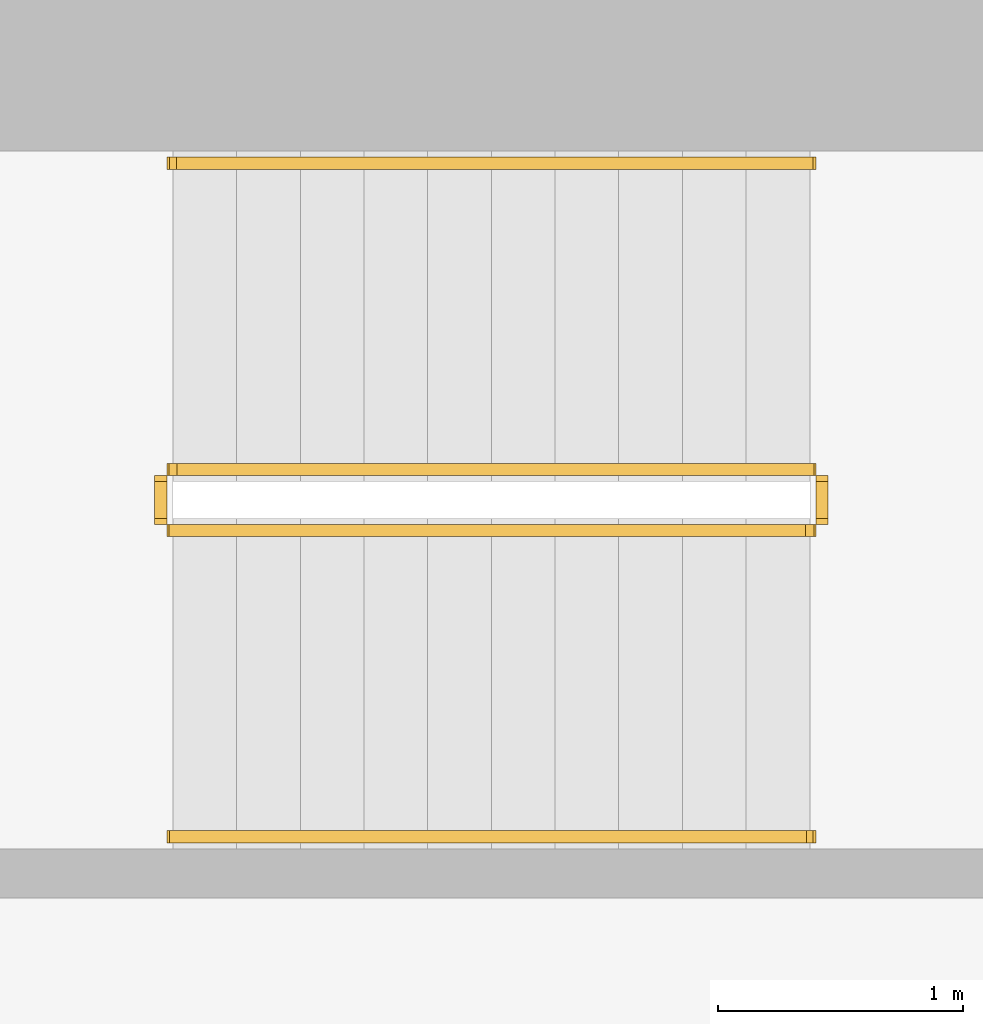
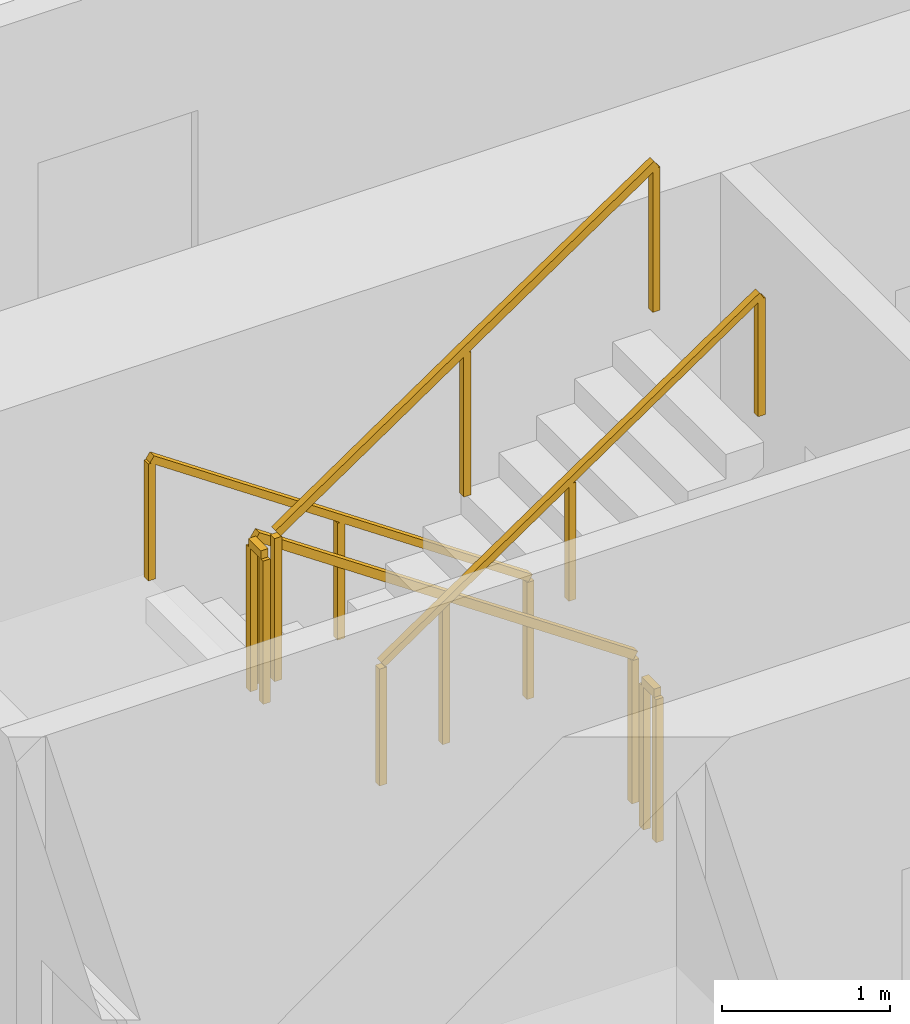
# One storey, part 15 of 16: 6 railings.
"""IFC4 building model written with IfcOpenShell, lengths in metres."""

from ifc_helpers import new_model, si_unit, direction, frame, origin, origin_2d, place, context, subcontext, project, spatial, rectangle, extrude, material, type_object, element, save


model = new_model("IFC4")

# Units and contexts
model_context = context("Model", 3, precision=1e-05, world=origin(), true_north=direction((0.0, 1.0)))
body_context = subcontext(model_context, "Body", "Model", "MODEL_VIEW")
ifc_project = project(units=[si_unit("LENGTHUNIT", "METRE"), si_unit("AREAUNIT", "SQUARE_METRE"), si_unit("VOLUMEUNIT", "CUBIC_METRE"), si_unit("PLANEANGLEUNIT", "RADIAN"), si_unit("MASSUNIT", "GRAM", prefix="KILO")], contexts=[model_context])

# Site, building, storey
site_placement = place(None, origin())
site = spatial("IfcSite", under=ifc_project, at=site_placement, CompositionType="ELEMENT")
building_placement = place(site_placement, origin())
building = spatial("IfcBuilding", under=site, at=building_placement, Name="Khepri Terraces", CompositionType="ELEMENT")
storey_placement = place(building_placement, frame((0.0, 0.0, 207.89990234375)))
storey = spatial("IfcBuildingStorey", under=building, at=storey_placement, Name="L49", CompositionType="ELEMENT", Elevation=207.89990234375)

# Railings
ifc_material = material(Name="Stainless steel 316", Category="steel")
railing_type_1 = type_object("IfcRailingType", Name="RL-CORE-GUARD", PredefinedType="GUARDRAIL", material=ifc_material)
railing_1_placement = place(storey_placement, frame((-0.25, 8.800048828125, 0.177490234375)))
element("IfcRailing", 1, at=railing_1_placement, inside=storey, type_object=railing_type_1, Name="L49 ST-3 stair guard 1", PredefinedType="GUARDRAIL", context=body_context, shape_type="SweptSolid", body=[
    extrude(rectangle(XDim=0.050048828125, YDim=0.06005859375, at=origin_2d()), frame((0.0, 0.0, 1.070068359375), z_axis=(-0.826240473404, 0.0, 0.563317565952), x_axis=(0.0, -1.0, 0.0)), (0.0, 0.0, 1.0), 3.14697265625),
    extrude(rectangle(XDim=0.050048828125, YDim=0.050048828125, at=origin_2d()), origin(), (0.0, 0.0, 1.0), 1.0400390625),
    extrude(rectangle(XDim=0.050048828125, YDim=0.050048828125, at=origin_2d()), frame((-1.300048828125, 0.0, 0.88623046875)), (0.0, 0.0, 1.0), 1.0400390625),
    extrude(rectangle(XDim=0.050048828125, YDim=0.050048828125, at=origin_2d()), frame((-2.60009765625, 0.0, 1.772705078125)), (0.0, 0.0, 1.0), 1.0400390625),
])
railing_2_placement = place(storey_placement, frame((-2.89990234375, 8.75, 1.9501953125)))
element("IfcRailing", 2, at=railing_2_placement, inside=storey, type_object=railing_type_1, Name="L49 ST-3 stair guard 2", PredefinedType="GUARDRAIL", context=body_context, shape_type="SweptSolid", body=[
    extrude(rectangle(XDim=0.050048828125, YDim=0.06005859375, at=origin_2d()), frame((0.0, 0.0, 1.070068359375), z_axis=(0.0, -1.0, 0.0), x_axis=(1.0, 0.0, 0.0)), (0.0, 0.0, 1.0), 0.14990234375),
    extrude(rectangle(XDim=0.050048828125, YDim=0.050048828125, at=origin_2d()), origin(), (0.0, 0.0, 1.0), 1.0400390625),
    extrude(rectangle(XDim=0.050048828125, YDim=0.050048828125, at=origin_2d()), frame((0.0, -0.14990234375, 0.0)), (0.0, 0.0, 1.0), 1.0400390625),
])
railing_3_placement = place(storey_placement, frame((-2.85009765625, 8.550048828125, 2.12744140625)))
element("IfcRailing", 3, at=railing_3_placement, inside=storey, type_object=railing_type_1, Name="L49 ST-3 stair guard 3", PredefinedType="GUARDRAIL", context=body_context, shape_type="SweptSolid", body=[
    extrude(rectangle(XDim=0.050048828125, YDim=0.06005859375, at=origin_2d()), frame((0.0, 0.0, 1.070068359375), z_axis=(0.826240473404, 0.0, 0.563317565952), x_axis=(0.0, 1.0, 0.0)), (0.0, 0.0, 1.0), 3.14697265625),
    extrude(rectangle(XDim=0.050048828125, YDim=0.050048828125, at=origin_2d()), origin(), (0.0, 0.0, 1.0), 1.0400390625),
    extrude(rectangle(XDim=0.050048828125, YDim=0.050048828125, at=origin_2d()), frame((1.300048828125, 0.0, 0.88623046875)), (0.0, 0.0, 1.0), 1.0400390625),
    extrude(rectangle(XDim=0.050048828125, YDim=0.050048828125, at=origin_2d()), frame((2.60009765625, 0.0, 1.772705078125)), (0.0, 0.0, 1.0), 1.0400390625),
])
railing_4_placement = place(storey_placement, frame((-0.199951171875, 8.75, 0.0)))
element("IfcRailing", 4, at=railing_4_placement, inside=storey, type_object=railing_type_1, Name="L49 ST-3 stair guard 4", PredefinedType="GUARDRAIL", context=body_context, shape_type="SweptSolid", body=[
    extrude(rectangle(XDim=0.050048828125, YDim=0.06005859375, at=origin_2d()), frame((0.0, 0.0, 1.070068359375), z_axis=(0.0, -1.0, 0.0), x_axis=(1.0, 0.0, 0.0)), (0.0, 0.0, 1.0), 0.14990234375),
    extrude(rectangle(XDim=0.050048828125, YDim=0.050048828125, at=origin_2d()), origin(), (0.0, 0.0, 1.0), 1.0400390625),
    extrude(rectangle(XDim=0.050048828125, YDim=0.050048828125, at=origin_2d()), frame((0.0, -0.14990234375, 0.0)), (0.0, 0.0, 1.0), 1.0400390625),
])
railing_type_2 = type_object("IfcRailingType", Name="RL-CORE-HANDRAIL", PredefinedType="HANDRAIL", material=ifc_material)
railing_5_placement = place(storey_placement, frame((-0.25, 10.050048828125, 0.177490234375)))
element("IfcRailing", 5, at=railing_5_placement, inside=storey, type_object=railing_type_2, Name="L49 ST-3 stair handrail 1", PredefinedType="HANDRAIL", context=body_context, shape_type="SweptSolid", body=[
    extrude(rectangle(XDim=0.050048828125, YDim=0.050048828125, at=origin_2d()), frame((0.0, 0.0, 0.875), z_axis=(-0.826240473404, 0.0, 0.563317565952), x_axis=(0.0, -1.0, 0.0)), (0.0, 0.0, 1.0), 3.14697265625),
    extrude(rectangle(XDim=0.050048828125, YDim=0.050048828125, at=origin_2d()), origin(), (0.0, 0.0, 1.0), 0.849853515625),
    extrude(rectangle(XDim=0.050048828125, YDim=0.050048828125, at=origin_2d()), frame((-1.300048828125, 0.0, 0.88623046875)), (0.0, 0.0, 1.0), 0.849853515625),
    extrude(rectangle(XDim=0.050048828125, YDim=0.050048828125, at=origin_2d()), frame((-2.60009765625, 0.0, 1.772705078125)), (0.0, 0.0, 1.0), 0.849853515625),
])
railing_6_placement = place(storey_placement, frame((-2.85009765625, 7.300048828125, 2.12744140625)))
element("IfcRailing", 6, at=railing_6_placement, inside=storey, type_object=railing_type_2, Name="L49 ST-3 stair handrail 2", PredefinedType="HANDRAIL", context=body_context, shape_type="SweptSolid", body=[
    extrude(rectangle(XDim=0.050048828125, YDim=0.050048828125, at=origin_2d()), frame((0.0, 0.0, 0.875), z_axis=(0.826240473404, 0.0, 0.563317565952), x_axis=(0.0, 1.0, 0.0)), (0.0, 0.0, 1.0), 3.14697265625),
    extrude(rectangle(XDim=0.050048828125, YDim=0.050048828125, at=origin_2d()), origin(), (0.0, 0.0, 1.0), 0.849853515625),
    extrude(rectangle(XDim=0.050048828125, YDim=0.050048828125, at=origin_2d()), frame((1.300048828125, 0.0, 0.88623046875)), (0.0, 0.0, 1.0), 0.849853515625),
    extrude(rectangle(XDim=0.050048828125, YDim=0.050048828125, at=origin_2d()), frame((2.60009765625, 0.0, 1.772705078125)), (0.0, 0.0, 1.0), 0.849853515625),
])

save(model, "model.ifc")
